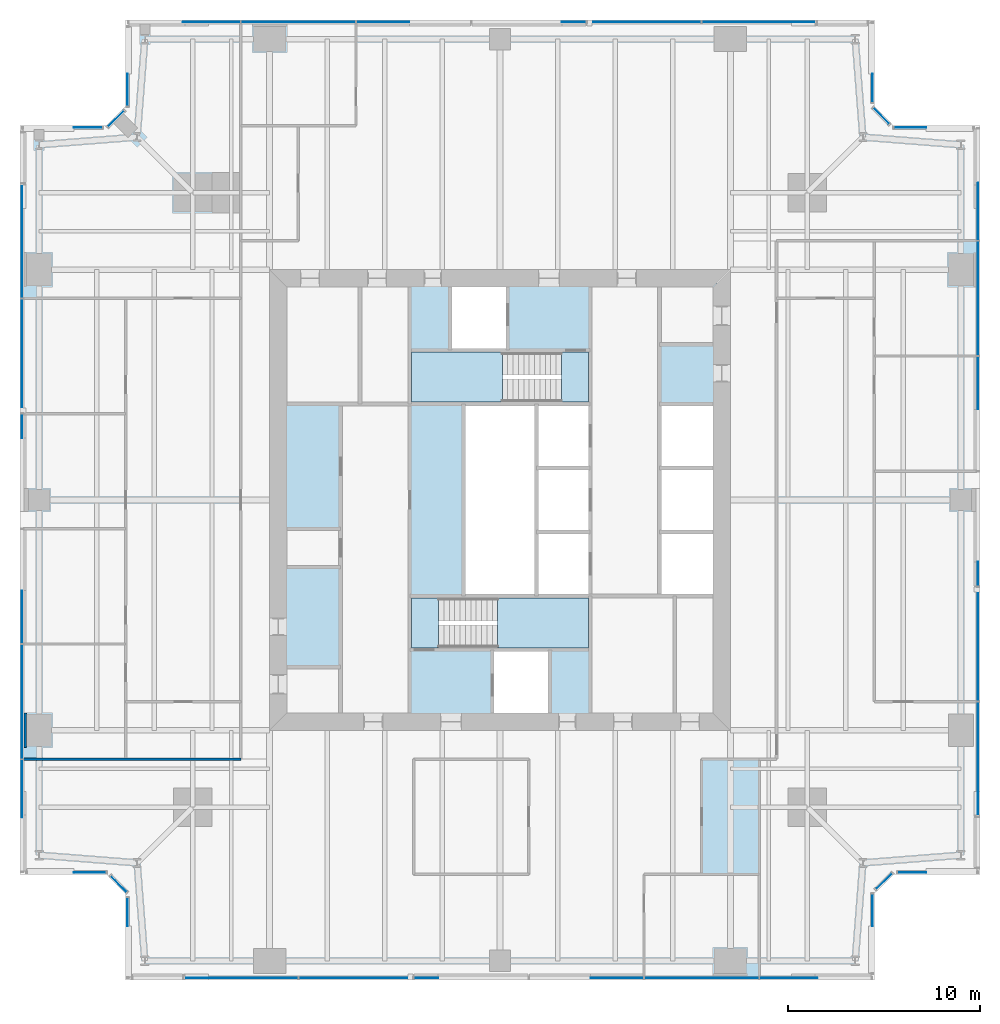
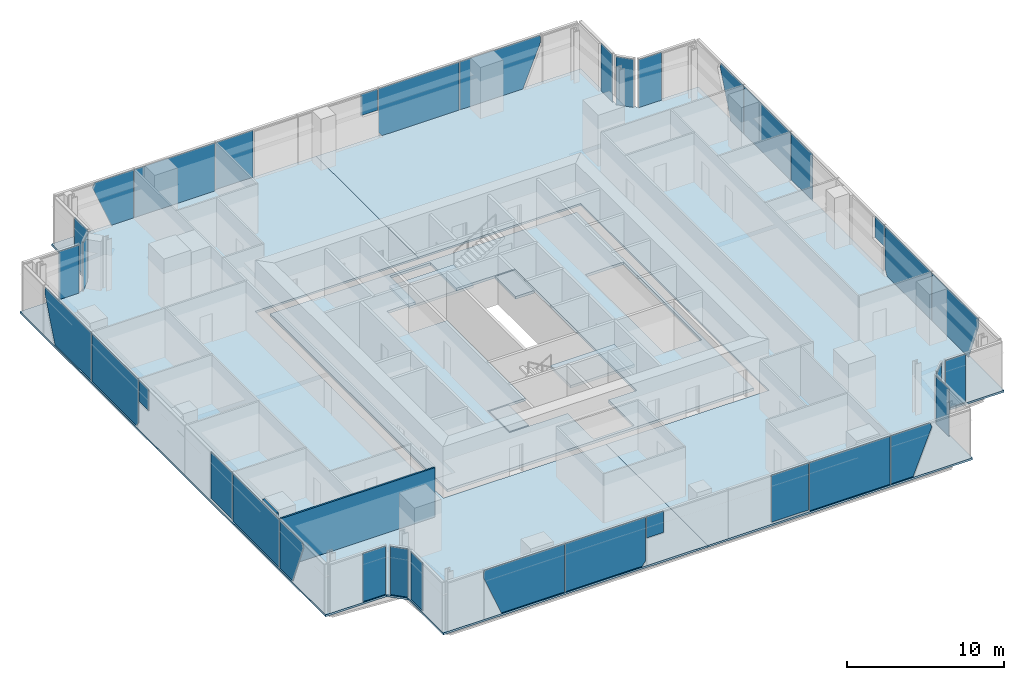
# One storey, part 8 of 16: 36 plates, 7 slabs, 2 walls, 18 elements without a shape of their own.
"""IFC4 building model written with IfcOpenShell, lengths in metres."""

from ifc_helpers import new_model, si_unit, direction, frame, frame_2d, origin, origin_2d, place, context, subcontext, project, spatial, polyline, rectangle, outline, extrude, material, layer, layer_set, type_object, element, aggregate, save


model = new_model("IFC4")

# Units and contexts
model_context = context("Model", 3, precision=1e-05, world=origin(), true_north=direction((0.0, 1.0)))
body_context = subcontext(model_context, "Body", "Model", "MODEL_VIEW")
ifc_project = project(units=[si_unit("LENGTHUNIT", "METRE"), si_unit("AREAUNIT", "SQUARE_METRE"), si_unit("VOLUMEUNIT", "CUBIC_METRE"), si_unit("PLANEANGLEUNIT", "RADIAN"), si_unit("MASSUNIT", "GRAM", prefix="KILO")], contexts=[model_context])

# Site, building, storey
site_placement = place(None, origin())
site = spatial("IfcSite", under=ifc_project, at=site_placement, CompositionType="ELEMENT")
building_placement = place(site_placement, origin())
building = spatial("IfcBuilding", under=site, at=building_placement, Name="Fenwick Lantern Interchange", CompositionType="ELEMENT")
storey_placement = place(building_placement, frame((0.0, 0.0, 213.800048828125)))
storey = spatial("IfcBuildingStorey", under=building, at=storey_placement, Name="L50", CompositionType="ELEMENT", Elevation=213.800048828125)

# Slabs
ifc_material_1 = material(Name="Concrete f'c 35 MPa", Category="concrete")
ifc_layer_1 = layer(ifc_material_1, 0.199951171875)
ifc_layer_set_1 = layer_set([ifc_layer_1], Name="CORE FLOOR SLAB 200")
slab_type_1 = type_object("IfcSlabType", Name="CORE FLOOR SLAB 200", PredefinedType="FLOOR", material=ifc_layer_set_1)
slab_1_placement = place(storey_placement, frame((0.0, 0.0, -0.199951171875)))
element("IfcSlab", 1, at=slab_1_placement, inside=storey, type_object=slab_type_1, Name="L50/SLAB/CORE", PredefinedType="FLOOR", context=body_context, shape_type="SweptSolid", body=[
    extrude(outline(polyline([(13.699951171875, 36.300048828125), (36.300048828125, 36.300048828125), (36.300048828125, 13.699951171875), (13.699951171875, 13.699951171875), (13.699951171875, 36.300048828125)]), holes=[polyline([(24.60009765625, 13.89990234375), (27.60009765625, 13.89990234375), (27.60009765625, 17.199951171875), (29.699951171875, 17.199951171875), (29.699951171875, 20.0), (29.699951171875, 23.333251953125), (29.699951171875, 26.666748046875), (29.699951171875, 30.0), (29.699951171875, 32.800048828125), (25.39990234375, 32.800048828125), (25.39990234375, 36.10009765625), (22.39990234375, 36.10009765625), (22.39990234375, 32.800048828125), (20.300048828125, 32.800048828125), (20.300048828125, 30.0), (23.10009765625, 30.0), (23.10009765625, 20.0), (20.300048828125, 20.0), (20.300048828125, 17.199951171875), (24.60009765625, 17.199951171875), (24.60009765625, 13.89990234375)]), polyline([(33.300048828125, 23.333251953125), (33.300048828125, 20.0), (36.10009765625, 20.0), (36.10009765625, 23.333251953125), (36.10009765625, 26.666748046875), (36.10009765625, 30.0), (33.300048828125, 30.0), (33.300048828125, 26.666748046875), (33.300048828125, 23.333251953125)])]), origin(), (0.0, 0.0, 1.0), 0.199951171875),
])
ifc_material_2 = material(Name="Concrete f'c 35 MPa", Category="concrete")
ifc_layer_2 = layer(ifc_material_2, 0.14990234375)
ifc_layer_set_2 = layer_set([ifc_layer_2], Name="Concrete f'c 35 MPa")
slab_type_2 = type_object("IfcSlabType", Name="FLOOR SLAB 150", PredefinedType="FLOOR", material=ifc_layer_set_2)
slab_2_placement = place(storey_placement, frame((0.0, 0.0, -0.150146484375)))
element("IfcSlab", 2, at=slab_2_placement, inside=storey, type_object=slab_type_2, Name="L50/SLAB/FW", PredefinedType="FLOOR", context=body_context, shape_type="SweptSolid", body=[
    extrude(outline(polyline([(5.5, 0.0), (5.5, 4.5), (4.5, 5.5), (0.0, 5.5), (0.0, 44.5), (4.5, 44.5), (5.5, 45.5), (5.5, 50.0), (25.0, 50.0), (25.0, 37.0), (13.0, 37.0), (13.0, 13.0), (25.0, 13.0), (25.0, 0.0), (5.5, 0.0)])), origin(), (0.0, 0.0, 1.0), 0.150146484375),
])
slab_3_placement = place(storey_placement, frame((0.0, 0.0, -0.150146484375)))
element("IfcSlab", 3, at=slab_3_placement, inside=storey, type_object=slab_type_2, Name="L50/SLAB/FE", PredefinedType="FLOOR", context=body_context, shape_type="SweptSolid", body=[
    extrude(outline(polyline([(44.5, 50.0), (44.5, 45.5), (45.5, 44.5), (50.0, 44.5), (50.0, 5.5), (45.5, 5.5), (44.5, 4.5), (44.5, 0.0), (25.0, 0.0), (25.0, 13.0), (37.0, 13.0), (37.0, 37.0), (25.0, 37.0), (25.0, 50.0), (44.5, 50.0)])), origin(), (0.0, 0.0, 1.0), 0.150146484375),
])

# Curtain wall, plates
ifc_material_3 = material(Name="Aluminium curtain wall frame", Category="aluminium")
curtain_wall_type = type_object("IfcCurtainWallType", Name="OFFICE CURTAIN WALL", PredefinedType="USERDEFINED", material=ifc_material_3)
curtain_wall_1_placement = place(storey_placement, origin())
curtain_wall_1 = element("IfcCurtainWall", 4, at=curtain_wall_1_placement, inside=storey, type_object=curtain_wall_type, Name="Office curtain wall 01", ObjectType="OFFICE CURTAIN WALL", PredefinedType="USERDEFINED")
ifc_material_4 = material(Name="Vision glass, clear low-iron double glazed", Category="glass")
ifc_layer_3 = layer(ifc_material_4, 0.031982421875)
ifc_layer_set_3 = layer_set([ifc_layer_3], Name="OFFICE CURTAIN WALL PANEL 32")
plate_type = type_object("IfcPlateType", Name="OFFICE CURTAIN WALL PANEL 32", PredefinedType="CURTAIN_PANEL", material=ifc_layer_set_3)
plate_1_placement = place(storey_placement, frame((5.60009765625, 0.10009765625, 0.0), z_axis=(0.0, 0.0, 1.0), x_axis=(1.0, 0.0, 0.0)))
plate_1 = element("IfcPlate", 5, at=plate_1_placement, type_object=plate_type, Name="L50/CW/01/P01a", PredefinedType="CURTAIN_PANEL", context=body_context, shape_type="SweptSolid", body=[
    extrude(outline(polyline([(4.2216796875, 0.0), (8.867431640625, 0.0), (8.867431640625, 3.75), (2.990478515625, 3.75), (2.9326171875, 3.608154296875), (2.9326171875, 3.17333984375), (4.2216796875, 0.0)])), frame((0.0, 0.01611328125, 0.0), z_axis=(0.0, -1.0, 0.0), x_axis=(1.0, 0.0, 0.0)), (0.0, 0.0, 1.0), 0.031982421875),
])
plate_2_placement = place(storey_placement, frame((5.60009765625, 0.10009765625, 0.0), z_axis=(0.0, 0.0, 1.0), x_axis=(1.0, 0.0, 0.0)))
plate_2 = element("IfcPlate", 6, at=plate_2_placement, type_object=plate_type, Name="L50/CW/01/P02a", PredefinedType="CURTAIN_PANEL", context=body_context, shape_type="SweptSolid", body=[
    extrude(outline(polyline([(8.9326171875, 0.0), (14.6044921875, 0.0), (14.867431640625, 0.3505859375), (14.867431640625, 3.75), (8.9326171875, 3.75), (8.9326171875, 0.0)])), frame((0.0, 0.01611328125, 0.0), z_axis=(0.0, -1.0, 0.0), x_axis=(1.0, 0.0, 0.0)), (0.0, 0.0, 1.0), 0.031982421875),
])
plate_3_placement = place(storey_placement, frame((5.60009765625, 0.10009765625, 2.090576171875), z_axis=(0.0, 0.0, 1.0), x_axis=(1.0, 0.0, 0.0)))
plate_3 = element("IfcPlate", 7, at=plate_3_placement, type_object=plate_type, Name="L50/CW/01/P03a", PredefinedType="CURTAIN_PANEL", context=body_context, shape_type="SweptSolid", body=[
    extrude(outline(polyline([(14.9326171875, 0.0), (16.172607421875, 0.0), (16.172607421875, 1.659423828125), (14.9326171875, 1.659423828125), (14.9326171875, 0.0)])), frame((0.0, 0.01611328125, 0.0), z_axis=(0.0, -1.0, 0.0), x_axis=(1.0, 0.0, 0.0)), (0.0, 0.0, 1.0), 0.031982421875),
])
plate_4_placement = place(storey_placement, frame((5.60009765625, 0.10009765625, 0.0927734375), z_axis=(0.0, 0.0, 1.0), x_axis=(1.0, 0.0, 0.0)))
plate_4 = element("IfcPlate", 8, at=plate_4_placement, type_object=plate_type, Name="L50/CW/01/P04a", PredefinedType="CURTAIN_PANEL", context=body_context, shape_type="SweptSolid", body=[
    extrude(outline(polyline([(24.1259765625, 0.0), (26.867431640625, 0.0), (26.867431640625, 3.6572265625), (24.1259765625, 3.6572265625), (24.1259765625, 0.0)])), frame((0.0, 0.01611328125, 0.0), z_axis=(0.0, -1.0, 0.0), x_axis=(1.0, 0.0, 0.0)), (0.0, 0.0, 1.0), 0.031982421875),
])
plate_5_placement = place(storey_placement, frame((35.5, 0.10009765625, 0.0), z_axis=(0.0, 0.0, 1.0), x_axis=(1.0, 0.0, 0.0)))
plate_5 = element("IfcPlate", 9, at=plate_5_placement, type_object=plate_type, Name="L50/CW/01/P05", PredefinedType="CURTAIN_PANEL", context=body_context, shape_type="SweptSolid", body=[
    extrude(rectangle(XDim=5.93505859375, YDim=0.031982421875, at=origin_2d()), origin(), (0.0, 0.0, 1.0), 3.75),
])
plate_6_placement = place(storey_placement, frame((5.60009765625, 0.10009765625, 0.0), z_axis=(0.0, 0.0, 1.0), x_axis=(1.0, 0.0, 0.0)))
plate_6 = element("IfcPlate", 10, at=plate_6_placement, type_object=plate_type, Name="L50/CW/01/P06a", PredefinedType="CURTAIN_PANEL", context=body_context, shape_type="SweptSolid", body=[
    extrude(outline(polyline([(32.9326171875, 0.0), (34.578369140625, 0.0), (35.9560546875, 3.3916015625), (35.8095703125, 3.75), (32.9326171875, 3.75), (32.9326171875, 0.0)])), frame((0.0, 0.01611328125, 0.0), z_axis=(0.0, -1.0, 0.0), x_axis=(1.0, 0.0, 0.0)), (0.0, 0.0, 1.0), 0.031982421875),
])
aggregate(curtain_wall_1, [plate_1, plate_2, plate_3, plate_4, plate_5, plate_6])

# Curtain wall, plate
curtain_wall_2_placement = place(storey_placement, origin())
curtain_wall_2 = element("IfcCurtainWall", 11, at=curtain_wall_2_placement, inside=storey, type_object=curtain_wall_type, Name="Office curtain wall 02", ObjectType="OFFICE CURTAIN WALL", PredefinedType="USERDEFINED")
plate_7_placement = place(storey_placement, frame((44.39990234375, 0.10009765625, 0.0), z_axis=(0.0, 0.0, 1.0), x_axis=(0.0, 1.0, 0.0)))
plate_7 = element("IfcPlate", 12, at=plate_7_placement, type_object=plate_type, Name="L50/CW/02/P00a", PredefinedType="CURTAIN_PANEL", context=body_context, shape_type="SweptSolid", body=[
    extrude(outline(polyline([(2.699951171875, 0.0), (4.37646484375, 0.0), (4.37646484375, 3.75), (2.699951171875, 3.75), (2.699951171875, 0.0)])), frame((0.0, 0.01611328125, 0.0), z_axis=(0.0, -1.0, 0.0), x_axis=(1.0, 0.0, 0.0)), (0.0, 0.0, 1.0), 0.031982421875),
])
aggregate(curtain_wall_2, [plate_7])

curtain_wall_3_placement = place(storey_placement, origin())
curtain_wall_3 = element("IfcCurtainWall", 13, at=curtain_wall_3_placement, inside=storey, type_object=curtain_wall_type, Name="Office curtain wall 03", ObjectType="OFFICE CURTAIN WALL", PredefinedType="USERDEFINED")
plate_8_placement = place(storey_placement, frame((45.0, 5.141357421875, 0.0), z_axis=(0.0, 0.0, 1.0), x_axis=(0.707106781187, 0.707106781187, 0.0)))
plate_8 = element("IfcPlate", 14, at=plate_8_placement, type_object=plate_type, Name="L50/CW/03/P00", PredefinedType="CURTAIN_PANEL", context=body_context, shape_type="SweptSolid", body=[
    extrude(rectangle(XDim=1.1669921875, YDim=0.031982421875, at=origin_2d()), origin(), (0.0, 0.0, 1.0), 3.75),
])
aggregate(curtain_wall_3, [plate_8])

curtain_wall_4_placement = place(storey_placement, origin())
curtain_wall_4 = element("IfcCurtainWall", 15, at=curtain_wall_4_placement, inside=storey, type_object=curtain_wall_type, Name="Office curtain wall 04", ObjectType="OFFICE CURTAIN WALL", PredefinedType="USERDEFINED")
plate_9_placement = place(storey_placement, frame((45.45849609375, 5.60009765625, 0.0), z_axis=(0.0, 0.0, 1.0), x_axis=(1.0, 0.0, 0.0)))
plate_9 = element("IfcPlate", 16, at=plate_9_placement, type_object=plate_type, Name="L50/CW/04/P00a", PredefinedType="CURTAIN_PANEL", context=body_context, shape_type="SweptSolid", body=[
    extrude(outline(polyline([(0.264892578125, 0.0), (1.741455078125, 0.0), (1.741455078125, 3.75), (0.264892578125, 3.75), (0.264892578125, 0.0)])), frame((0.0, 0.01611328125, 0.0), z_axis=(0.0, -1.0, 0.0), x_axis=(1.0, 0.0, 0.0)), (0.0, 0.0, 1.0), 0.031982421875),
])
aggregate(curtain_wall_4, [plate_9])

# Curtain wall, plates
curtain_wall_5_placement = place(storey_placement, origin())
curtain_wall_5 = element("IfcCurtainWall", 17, at=curtain_wall_5_placement, inside=storey, type_object=curtain_wall_type, Name="Office curtain wall 05", ObjectType="OFFICE CURTAIN WALL", PredefinedType="USERDEFINED")
plate_10_placement = place(storey_placement, frame((49.89990234375, 5.60009765625, 0.0), z_axis=(0.0, 0.0, 1.0), x_axis=(0.0, 1.0, 0.0)))
plate_10 = element("IfcPlate", 18, at=plate_10_placement, type_object=plate_type, Name="L50/CW/05/P01a", PredefinedType="CURTAIN_PANEL", context=body_context, shape_type="SweptSolid", body=[
    extrude(outline(polyline([(4.2216796875, 0.0), (8.867431640625, 0.0), (8.867431640625, 3.75), (2.990478515625, 3.75), (2.9326171875, 3.608154296875), (2.9326171875, 3.17333984375), (4.2216796875, 0.0)])), frame((0.0, 0.01611328125, 0.0), z_axis=(0.0, -1.0, 0.0), x_axis=(1.0, 0.0, 0.0)), (0.0, 0.0, 1.0), 0.031982421875),
])
plate_11_placement = place(storey_placement, frame((49.89990234375, 5.60009765625, 0.0), z_axis=(0.0, 0.0, 1.0), x_axis=(0.0, 1.0, 0.0)))
plate_11 = element("IfcPlate", 19, at=plate_11_placement, type_object=plate_type, Name="L50/CW/05/P02a", PredefinedType="CURTAIN_PANEL", context=body_context, shape_type="SweptSolid", body=[
    extrude(outline(polyline([(8.9326171875, 0.0), (14.6044921875, 0.0), (14.867431640625, 0.3505859375), (14.867431640625, 3.75), (8.9326171875, 3.75), (8.9326171875, 0.0)])), frame((0.0, 0.01611328125, 0.0), z_axis=(0.0, -1.0, 0.0), x_axis=(1.0, 0.0, 0.0)), (0.0, 0.0, 1.0), 0.031982421875),
])
plate_12_placement = place(storey_placement, frame((49.89990234375, 5.60009765625, 2.090576171875), z_axis=(0.0, 0.0, 1.0), x_axis=(0.0, 1.0, 0.0)))
plate_12 = element("IfcPlate", 20, at=plate_12_placement, type_object=plate_type, Name="L50/CW/05/P03a", PredefinedType="CURTAIN_PANEL", context=body_context, shape_type="SweptSolid", body=[
    extrude(outline(polyline([(14.9326171875, 0.0), (16.172607421875, 0.0), (16.172607421875, 1.659423828125), (14.9326171875, 1.659423828125), (14.9326171875, 0.0)])), frame((0.0, 0.01611328125, 0.0), z_axis=(0.0, -1.0, 0.0), x_axis=(1.0, 0.0, 0.0)), (0.0, 0.0, 1.0), 0.031982421875),
])
plate_13_placement = place(storey_placement, frame((49.89990234375, 5.60009765625, 0.0927734375), z_axis=(0.0, 0.0, 1.0), x_axis=(0.0, 1.0, 0.0)))
plate_13 = element("IfcPlate", 21, at=plate_13_placement, type_object=plate_type, Name="L50/CW/05/P04a", PredefinedType="CURTAIN_PANEL", context=body_context, shape_type="SweptSolid", body=[
    extrude(outline(polyline([(24.1259765625, 0.0), (26.867431640625, 0.0), (26.867431640625, 3.6572265625), (24.1259765625, 3.6572265625), (24.1259765625, 0.0)])), frame((0.0, 0.01611328125, 0.0), z_axis=(0.0, -1.0, 0.0), x_axis=(1.0, 0.0, 0.0)), (0.0, 0.0, 1.0), 0.031982421875),
])
plate_14_placement = place(storey_placement, frame((49.89990234375, 35.5, 0.0), z_axis=(0.0, 0.0, 1.0), x_axis=(0.0, 1.0, 0.0)))
plate_14 = element("IfcPlate", 22, at=plate_14_placement, type_object=plate_type, Name="L50/CW/05/P05", PredefinedType="CURTAIN_PANEL", context=body_context, shape_type="SweptSolid", body=[
    extrude(rectangle(XDim=5.93505859375, YDim=0.031982421875, at=origin_2d()), origin(), (0.0, 0.0, 1.0), 3.75),
])
plate_15_placement = place(storey_placement, frame((49.89990234375, 5.60009765625, 0.0), z_axis=(0.0, 0.0, 1.0), x_axis=(0.0, 1.0, 0.0)))
plate_15 = element("IfcPlate", 23, at=plate_15_placement, type_object=plate_type, Name="L50/CW/05/P06a", PredefinedType="CURTAIN_PANEL", context=body_context, shape_type="SweptSolid", body=[
    extrude(outline(polyline([(32.9326171875, 0.0), (34.578369140625, 0.0), (35.9560546875, 3.3916015625), (35.8095703125, 3.75), (32.9326171875, 3.75), (32.9326171875, 0.0)])), frame((0.0, 0.01611328125, 0.0), z_axis=(0.0, -1.0, 0.0), x_axis=(1.0, 0.0, 0.0)), (0.0, 0.0, 1.0), 0.031982421875),
])
aggregate(curtain_wall_5, [plate_10, plate_11, plate_12, plate_13, plate_14, plate_15])

# Curtain wall, plate
curtain_wall_6_placement = place(storey_placement, origin())
curtain_wall_6 = element("IfcCurtainWall", 24, at=curtain_wall_6_placement, inside=storey, type_object=curtain_wall_type, Name="Office curtain wall 06", ObjectType="OFFICE CURTAIN WALL", PredefinedType="USERDEFINED")
plate_16_placement = place(storey_placement, frame((49.89990234375, 44.39990234375, 0.0), z_axis=(0.0, 0.0, 1.0), x_axis=(-1.0, 0.0, 0.0)))
plate_16 = element("IfcPlate", 25, at=plate_16_placement, type_object=plate_type, Name="L50/CW/06/P00a", PredefinedType="CURTAIN_PANEL", context=body_context, shape_type="SweptSolid", body=[
    extrude(outline(polyline([(2.699951171875, 0.0), (4.37646484375, 0.0), (4.37646484375, 3.75), (2.699951171875, 3.75), (2.699951171875, 0.0)])), frame((0.0, 0.01611328125, 0.0), z_axis=(0.0, -1.0, 0.0), x_axis=(1.0, 0.0, 0.0)), (0.0, 0.0, 1.0), 0.031982421875),
])
aggregate(curtain_wall_6, [plate_16])

curtain_wall_7_placement = place(storey_placement, origin())
curtain_wall_7 = element("IfcCurtainWall", 26, at=curtain_wall_7_placement, inside=storey, type_object=curtain_wall_type, Name="Office curtain wall 07", ObjectType="OFFICE CURTAIN WALL", PredefinedType="USERDEFINED")
plate_17_placement = place(storey_placement, frame((44.858642578125, 45.0, 0.0), z_axis=(0.0, 0.0, 1.0), x_axis=(-0.707106781187, 0.707106781187, 0.0)))
plate_17 = element("IfcPlate", 27, at=plate_17_placement, type_object=plate_type, Name="L50/CW/07/P00", PredefinedType="CURTAIN_PANEL", context=body_context, shape_type="SweptSolid", body=[
    extrude(rectangle(XDim=1.1669921875, YDim=0.031982421875, at=origin_2d()), origin(), (0.0, 0.0, 1.0), 3.75),
])
aggregate(curtain_wall_7, [plate_17])

curtain_wall_8_placement = place(storey_placement, origin())
curtain_wall_8 = element("IfcCurtainWall", 28, at=curtain_wall_8_placement, inside=storey, type_object=curtain_wall_type, Name="Office curtain wall 08", ObjectType="OFFICE CURTAIN WALL", PredefinedType="USERDEFINED")
plate_18_placement = place(storey_placement, frame((44.39990234375, 45.45849609375, 0.0), z_axis=(0.0, 0.0, 1.0), x_axis=(0.0, 1.0, 0.0)))
plate_18 = element("IfcPlate", 29, at=plate_18_placement, type_object=plate_type, Name="L50/CW/08/P00a", PredefinedType="CURTAIN_PANEL", context=body_context, shape_type="SweptSolid", body=[
    extrude(outline(polyline([(0.264892578125, 0.0), (1.741455078125, 0.0), (1.741455078125, 3.75), (0.264892578125, 3.75), (0.264892578125, 0.0)])), frame((0.0, 0.01611328125, 0.0), z_axis=(0.0, -1.0, 0.0), x_axis=(1.0, 0.0, 0.0)), (0.0, 0.0, 1.0), 0.031982421875),
])
aggregate(curtain_wall_8, [plate_18])

# Curtain wall, plates
curtain_wall_9_placement = place(storey_placement, origin())
curtain_wall_9 = element("IfcCurtainWall", 30, at=curtain_wall_9_placement, inside=storey, type_object=curtain_wall_type, Name="Office curtain wall 09", ObjectType="OFFICE CURTAIN WALL", PredefinedType="USERDEFINED")
plate_19_placement = place(storey_placement, frame((44.39990234375, 49.89990234375, 0.0), z_axis=(0.0, 0.0, 1.0), x_axis=(-1.0, 0.0, 0.0)))
plate_19 = element("IfcPlate", 31, at=plate_19_placement, type_object=plate_type, Name="L50/CW/09/P01a", PredefinedType="CURTAIN_PANEL", context=body_context, shape_type="SweptSolid", body=[
    extrude(outline(polyline([(4.2216796875, 0.0), (8.867431640625, 0.0), (8.867431640625, 3.75), (2.990478515625, 3.75), (2.9326171875, 3.608154296875), (2.9326171875, 3.17333984375), (4.2216796875, 0.0)])), frame((0.0, 0.01611328125, 0.0), z_axis=(0.0, -1.0, 0.0), x_axis=(1.0, 0.0, 0.0)), (0.0, 0.0, 1.0), 0.031982421875),
])
plate_20_placement = place(storey_placement, frame((44.39990234375, 49.89990234375, 0.0), z_axis=(0.0, 0.0, 1.0), x_axis=(-1.0, 0.0, 0.0)))
plate_20 = element("IfcPlate", 32, at=plate_20_placement, type_object=plate_type, Name="L50/CW/09/P02a", PredefinedType="CURTAIN_PANEL", context=body_context, shape_type="SweptSolid", body=[
    extrude(outline(polyline([(8.9326171875, 0.0), (14.6044921875, 0.0), (14.867431640625, 0.3505859375), (14.867431640625, 3.75), (8.9326171875, 3.75), (8.9326171875, 0.0)])), frame((0.0, 0.01611328125, 0.0), z_axis=(0.0, -1.0, 0.0), x_axis=(1.0, 0.0, 0.0)), (0.0, 0.0, 1.0), 0.031982421875),
])
plate_21_placement = place(storey_placement, frame((44.39990234375, 49.89990234375, 2.090576171875), z_axis=(0.0, 0.0, 1.0), x_axis=(-1.0, 0.0, 0.0)))
plate_21 = element("IfcPlate", 33, at=plate_21_placement, type_object=plate_type, Name="L50/CW/09/P03a", PredefinedType="CURTAIN_PANEL", context=body_context, shape_type="SweptSolid", body=[
    extrude(outline(polyline([(14.9326171875, 0.0), (16.172607421875, 0.0), (16.172607421875, 1.659423828125), (14.9326171875, 1.659423828125), (14.9326171875, 0.0)])), frame((0.0, 0.01611328125, 0.0), z_axis=(0.0, -1.0, 0.0), x_axis=(1.0, 0.0, 0.0)), (0.0, 0.0, 1.0), 0.031982421875),
])
plate_22_placement = place(storey_placement, frame((44.39990234375, 49.89990234375, 0.0927734375), z_axis=(0.0, 0.0, 1.0), x_axis=(-1.0, 0.0, 0.0)))
plate_22 = element("IfcPlate", 34, at=plate_22_placement, type_object=plate_type, Name="L50/CW/09/P04a", PredefinedType="CURTAIN_PANEL", context=body_context, shape_type="SweptSolid", body=[
    extrude(outline(polyline([(24.1259765625, 0.0), (26.867431640625, 0.0), (26.867431640625, 3.6572265625), (24.1259765625, 3.6572265625), (24.1259765625, 0.0)])), frame((0.0, 0.01611328125, 0.0), z_axis=(0.0, -1.0, 0.0), x_axis=(1.0, 0.0, 0.0)), (0.0, 0.0, 1.0), 0.031982421875),
])
plate_23_placement = place(storey_placement, frame((14.5, 49.89990234375, 0.0), z_axis=(0.0, 0.0, 1.0), x_axis=(-1.0, 0.0, 0.0)))
plate_23 = element("IfcPlate", 35, at=plate_23_placement, type_object=plate_type, Name="L50/CW/09/P05", PredefinedType="CURTAIN_PANEL", context=body_context, shape_type="SweptSolid", body=[
    extrude(rectangle(XDim=5.93505859375, YDim=0.031982421875, at=origin_2d()), origin(), (0.0, 0.0, 1.0), 3.75),
])
plate_24_placement = place(storey_placement, frame((44.39990234375, 49.89990234375, 0.0), z_axis=(0.0, 0.0, 1.0), x_axis=(-1.0, 0.0, 0.0)))
plate_24 = element("IfcPlate", 36, at=plate_24_placement, type_object=plate_type, Name="L50/CW/09/P06a", PredefinedType="CURTAIN_PANEL", context=body_context, shape_type="SweptSolid", body=[
    extrude(outline(polyline([(32.9326171875, 0.0), (34.578369140625, 0.0), (35.9560546875, 3.3916015625), (35.8095703125, 3.75), (32.9326171875, 3.75), (32.9326171875, 0.0)])), frame((0.0, 0.01611328125, 0.0), z_axis=(0.0, -1.0, 0.0), x_axis=(1.0, 0.0, 0.0)), (0.0, 0.0, 1.0), 0.031982421875),
])
aggregate(curtain_wall_9, [plate_19, plate_20, plate_21, plate_22, plate_23, plate_24])

# Curtain wall, plate
curtain_wall_10_placement = place(storey_placement, origin())
curtain_wall_10 = element("IfcCurtainWall", 37, at=curtain_wall_10_placement, inside=storey, type_object=curtain_wall_type, Name="Office curtain wall 10", ObjectType="OFFICE CURTAIN WALL", PredefinedType="USERDEFINED")
plate_25_placement = place(storey_placement, frame((5.60009765625, 49.89990234375, 0.0), z_axis=(0.0, 0.0, 1.0), x_axis=(0.0, -1.0, 0.0)))
plate_25 = element("IfcPlate", 38, at=plate_25_placement, type_object=plate_type, Name="L50/CW/10/P00a", PredefinedType="CURTAIN_PANEL", context=body_context, shape_type="SweptSolid", body=[
    extrude(outline(polyline([(2.699951171875, 0.0), (4.37646484375, 0.0), (4.37646484375, 3.75), (2.699951171875, 3.75), (2.699951171875, 0.0)])), frame((0.0, 0.01611328125, 0.0), z_axis=(0.0, -1.0, 0.0), x_axis=(1.0, 0.0, 0.0)), (0.0, 0.0, 1.0), 0.031982421875),
])
aggregate(curtain_wall_10, [plate_25])

curtain_wall_11_placement = place(storey_placement, origin())
curtain_wall_11 = element("IfcCurtainWall", 39, at=curtain_wall_11_placement, inside=storey, type_object=curtain_wall_type, Name="Office curtain wall 11", ObjectType="OFFICE CURTAIN WALL", PredefinedType="USERDEFINED")
plate_26_placement = place(storey_placement, frame((5.0, 44.858642578125, 0.0), z_axis=(0.0, 0.0, 1.0), x_axis=(-0.707106781187, -0.707106781187, 0.0)))
plate_26 = element("IfcPlate", 40, at=plate_26_placement, type_object=plate_type, Name="L50/CW/11/P00", PredefinedType="CURTAIN_PANEL", context=body_context, shape_type="SweptSolid", body=[
    extrude(rectangle(XDim=1.1669921875, YDim=0.031982421875, at=origin_2d()), origin(), (0.0, 0.0, 1.0), 3.75),
])
aggregate(curtain_wall_11, [plate_26])

curtain_wall_12_placement = place(storey_placement, origin())
curtain_wall_12 = element("IfcCurtainWall", 41, at=curtain_wall_12_placement, inside=storey, type_object=curtain_wall_type, Name="Office curtain wall 12", ObjectType="OFFICE CURTAIN WALL", PredefinedType="USERDEFINED")
plate_27_placement = place(storey_placement, frame((4.54150390625, 44.39990234375, 0.0), z_axis=(0.0, 0.0, 1.0), x_axis=(-1.0, 0.0, 0.0)))
plate_27 = element("IfcPlate", 42, at=plate_27_placement, type_object=plate_type, Name="L50/CW/12/P00a", PredefinedType="CURTAIN_PANEL", context=body_context, shape_type="SweptSolid", body=[
    extrude(outline(polyline([(0.264892578125, 0.0), (1.741455078125, 0.0), (1.741455078125, 3.75), (0.264892578125, 3.75), (0.264892578125, 0.0)])), frame((0.0, 0.01611328125, 0.0), z_axis=(0.0, -1.0, 0.0), x_axis=(1.0, 0.0, 0.0)), (0.0, 0.0, 1.0), 0.031982421875),
])
aggregate(curtain_wall_12, [plate_27])

# Curtain wall, plates
curtain_wall_13_placement = place(storey_placement, origin())
curtain_wall_13 = element("IfcCurtainWall", 43, at=curtain_wall_13_placement, inside=storey, type_object=curtain_wall_type, Name="Office curtain wall 13", ObjectType="OFFICE CURTAIN WALL", PredefinedType="USERDEFINED")
plate_28_placement = place(storey_placement, frame((0.10009765625, 44.39990234375, 0.0), z_axis=(0.0, 0.0, 1.0), x_axis=(0.0, -1.0, 0.0)))
plate_28 = element("IfcPlate", 44, at=plate_28_placement, type_object=plate_type, Name="L50/CW/13/P01a", PredefinedType="CURTAIN_PANEL", context=body_context, shape_type="SweptSolid", body=[
    extrude(outline(polyline([(4.2216796875, 0.0), (8.867431640625, 0.0), (8.867431640625, 3.75), (2.990478515625, 3.75), (2.9326171875, 3.608154296875), (2.9326171875, 3.17333984375), (4.2216796875, 0.0)])), frame((0.0, 0.01611328125, 0.0), z_axis=(0.0, -1.0, 0.0), x_axis=(1.0, 0.0, 0.0)), (0.0, 0.0, 1.0), 0.031982421875),
])
plate_29_placement = place(storey_placement, frame((0.10009765625, 44.39990234375, 0.0), z_axis=(0.0, 0.0, 1.0), x_axis=(0.0, -1.0, 0.0)))
plate_29 = element("IfcPlate", 45, at=plate_29_placement, type_object=plate_type, Name="L50/CW/13/P02a", PredefinedType="CURTAIN_PANEL", context=body_context, shape_type="SweptSolid", body=[
    extrude(outline(polyline([(8.9326171875, 0.0), (14.6044921875, 0.0), (14.867431640625, 0.3505859375), (14.867431640625, 3.75), (8.9326171875, 3.75), (8.9326171875, 0.0)])), frame((0.0, 0.01611328125, 0.0), z_axis=(0.0, -1.0, 0.0), x_axis=(1.0, 0.0, 0.0)), (0.0, 0.0, 1.0), 0.031982421875),
])
plate_30_placement = place(storey_placement, frame((0.10009765625, 44.39990234375, 2.090576171875), z_axis=(0.0, 0.0, 1.0), x_axis=(0.0, -1.0, 0.0)))
plate_30 = element("IfcPlate", 46, at=plate_30_placement, type_object=plate_type, Name="L50/CW/13/P03a", PredefinedType="CURTAIN_PANEL", context=body_context, shape_type="SweptSolid", body=[
    extrude(outline(polyline([(14.9326171875, 0.0), (16.172607421875, 0.0), (16.172607421875, 1.659423828125), (14.9326171875, 1.659423828125), (14.9326171875, 0.0)])), frame((0.0, 0.01611328125, 0.0), z_axis=(0.0, -1.0, 0.0), x_axis=(1.0, 0.0, 0.0)), (0.0, 0.0, 1.0), 0.031982421875),
])
plate_31_placement = place(storey_placement, frame((0.10009765625, 44.39990234375, 0.0927734375), z_axis=(0.0, 0.0, 1.0), x_axis=(0.0, -1.0, 0.0)))
plate_31 = element("IfcPlate", 47, at=plate_31_placement, type_object=plate_type, Name="L50/CW/13/P04a", PredefinedType="CURTAIN_PANEL", context=body_context, shape_type="SweptSolid", body=[
    extrude(outline(polyline([(24.1259765625, 0.0), (26.867431640625, 0.0), (26.867431640625, 3.6572265625), (24.1259765625, 3.6572265625), (24.1259765625, 0.0)])), frame((0.0, 0.01611328125, 0.0), z_axis=(0.0, -1.0, 0.0), x_axis=(1.0, 0.0, 0.0)), (0.0, 0.0, 1.0), 0.031982421875),
])
plate_32_placement = place(storey_placement, frame((0.10009765625, 14.5, 0.0), z_axis=(0.0, 0.0, 1.0), x_axis=(0.0, -1.0, 0.0)))
plate_32 = element("IfcPlate", 48, at=plate_32_placement, type_object=plate_type, Name="L50/CW/13/P05", PredefinedType="CURTAIN_PANEL", context=body_context, shape_type="SweptSolid", body=[
    extrude(rectangle(XDim=5.93505859375, YDim=0.031982421875, at=origin_2d()), origin(), (0.0, 0.0, 1.0), 3.75),
])
plate_33_placement = place(storey_placement, frame((0.10009765625, 44.39990234375, 0.0), z_axis=(0.0, 0.0, 1.0), x_axis=(0.0, -1.0, 0.0)))
plate_33 = element("IfcPlate", 49, at=plate_33_placement, type_object=plate_type, Name="L50/CW/13/P06a", PredefinedType="CURTAIN_PANEL", context=body_context, shape_type="SweptSolid", body=[
    extrude(outline(polyline([(32.9326171875, 0.0), (34.578369140625, 0.0), (35.9560546875, 3.3916015625), (35.8095703125, 3.75), (32.9326171875, 3.75), (32.9326171875, 0.0)])), frame((0.0, 0.01611328125, 0.0), z_axis=(0.0, -1.0, 0.0), x_axis=(1.0, 0.0, 0.0)), (0.0, 0.0, 1.0), 0.031982421875),
])
aggregate(curtain_wall_13, [plate_28, plate_29, plate_30, plate_31, plate_32, plate_33])

# Curtain wall, plate
curtain_wall_14_placement = place(storey_placement, origin())
curtain_wall_14 = element("IfcCurtainWall", 50, at=curtain_wall_14_placement, inside=storey, type_object=curtain_wall_type, Name="Office curtain wall 14", ObjectType="OFFICE CURTAIN WALL", PredefinedType="USERDEFINED")
plate_34_placement = place(storey_placement, frame((0.10009765625, 5.60009765625, 0.0), z_axis=(0.0, 0.0, 1.0), x_axis=(1.0, 0.0, 0.0)))
plate_34 = element("IfcPlate", 51, at=plate_34_placement, type_object=plate_type, Name="L50/CW/14/P00a", PredefinedType="CURTAIN_PANEL", context=body_context, shape_type="SweptSolid", body=[
    extrude(outline(polyline([(2.699951171875, 0.0), (4.37646484375, 0.0), (4.37646484375, 3.75), (2.699951171875, 3.75), (2.699951171875, 0.0)])), frame((0.0, 0.01611328125, 0.0), z_axis=(0.0, -1.0, 0.0), x_axis=(1.0, 0.0, 0.0)), (0.0, 0.0, 1.0), 0.031982421875),
])
aggregate(curtain_wall_14, [plate_34])

curtain_wall_15_placement = place(storey_placement, origin())
curtain_wall_15 = element("IfcCurtainWall", 52, at=curtain_wall_15_placement, inside=storey, type_object=curtain_wall_type, Name="Office curtain wall 15", ObjectType="OFFICE CURTAIN WALL", PredefinedType="USERDEFINED")
plate_35_placement = place(storey_placement, frame((5.141357421875, 5.0, 0.0), z_axis=(0.0, 0.0, 1.0), x_axis=(0.707106781187, -0.707106781187, 0.0)))
plate_35 = element("IfcPlate", 53, at=plate_35_placement, type_object=plate_type, Name="L50/CW/15/P00", PredefinedType="CURTAIN_PANEL", context=body_context, shape_type="SweptSolid", body=[
    extrude(rectangle(XDim=1.1669921875, YDim=0.031982421875, at=origin_2d()), origin(), (0.0, 0.0, 1.0), 3.75),
])
aggregate(curtain_wall_15, [plate_35])

curtain_wall_16_placement = place(storey_placement, origin())
curtain_wall_16 = element("IfcCurtainWall", 54, at=curtain_wall_16_placement, inside=storey, type_object=curtain_wall_type, Name="Office curtain wall 16", ObjectType="OFFICE CURTAIN WALL", PredefinedType="USERDEFINED")
plate_36_placement = place(storey_placement, frame((5.60009765625, 4.54150390625, 0.0), z_axis=(0.0, 0.0, 1.0), x_axis=(0.0, -1.0, 0.0)))
plate_36 = element("IfcPlate", 55, at=plate_36_placement, type_object=plate_type, Name="L50/CW/16/P00a", PredefinedType="CURTAIN_PANEL", context=body_context, shape_type="SweptSolid", body=[
    extrude(outline(polyline([(0.264892578125, 0.0), (1.741455078125, 0.0), (1.741455078125, 3.75), (0.264892578125, 3.75), (0.264892578125, 0.0)])), frame((0.0, 0.01611328125, 0.0), z_axis=(0.0, -1.0, 0.0), x_axis=(1.0, 0.0, 0.0)), (0.0, 0.0, 1.0), 0.031982421875),
])
aggregate(curtain_wall_16, [plate_36])

# Stair, slabs
ifc_material_5 = material(Name="Precast concrete f'c 35 MPa", Category="concrete")
stair_type = type_object("IfcStairType", Name="EXIT STAIR 1200", PredefinedType="HALF_TURN_STAIR", material=ifc_material_5)
stair_1_placement = place(storey_placement, origin())
stair_1 = element("IfcStair", 56, at=stair_1_placement, inside=storey, type_object=stair_type, Name="Exit stair ST1", PredefinedType="HALF_TURN_STAIR")
ifc_layer_4 = layer(ifc_material_1, 0.199951171875)
ifc_layer_set_4 = layer_set([ifc_layer_4], Name="STAIR LANDING 200")
slab_type_3 = type_object("IfcSlabType", Name="STAIR LANDING 200", PredefinedType="LANDING", material=ifc_layer_set_4)
slab_4_placement = place(storey_placement, frame((0.0, 0.0, 1.800048828125)))
slab_4 = element("IfcSlab", 57, at=slab_4_placement, type_object=slab_type_3, Name="ST1 landing 1", PredefinedType="LANDING", context=body_context, shape_type="SweptSolid", body=[
    extrude(outline(polyline([(24.8798828125, 17.300048828125), (29.60009765625, 17.300048828125), (29.60009765625, 19.89990234375), (24.8798828125, 19.89990234375), (24.8798828125, 17.300048828125)])), origin(), (0.0, 0.0, 1.0), 0.199951171875),
])
slab_5_placement = place(storey_placement, frame((0.0, 0.0, -0.199951171875)))
slab_5 = element("IfcSlab", 58, at=slab_5_placement, type_object=slab_type_3, Name="ST1 landing 2", PredefinedType="LANDING", context=body_context, shape_type="SweptSolid", body=[
    extrude(outline(polyline([(20.39990234375, 17.300048828125), (21.800048828125, 17.300048828125), (21.800048828125, 19.89990234375), (20.39990234375, 19.89990234375), (20.39990234375, 17.300048828125)])), origin(), (0.0, 0.0, 1.0), 0.199951171875),
])
aggregate(stair_1, [slab_4, slab_5])

stair_2_placement = place(storey_placement, origin())
stair_2 = element("IfcStair", 59, at=stair_2_placement, inside=storey, type_object=stair_type, Name="Exit stair ST2", PredefinedType="HALF_TURN_STAIR")
slab_6_placement = place(storey_placement, frame((0.0, 0.0, 1.800048828125)))
slab_6 = element("IfcSlab", 60, at=slab_6_placement, type_object=slab_type_3, Name="ST2 landing 1", PredefinedType="LANDING", context=body_context, shape_type="SweptSolid", body=[
    extrude(outline(polyline([(25.1201171875, 32.699951171875), (20.39990234375, 32.699951171875), (20.39990234375, 30.10009765625), (25.1201171875, 30.10009765625), (25.1201171875, 32.699951171875)])), origin(), (0.0, 0.0, 1.0), 0.199951171875),
])
slab_7_placement = place(storey_placement, frame((0.0, 0.0, -0.199951171875)))
slab_7 = element("IfcSlab", 61, at=slab_7_placement, type_object=slab_type_3, Name="ST2 landing 2", PredefinedType="LANDING", context=body_context, shape_type="SweptSolid", body=[
    extrude(outline(polyline([(29.60009765625, 32.699951171875), (28.199951171875, 32.699951171875), (28.199951171875, 30.10009765625), (29.60009765625, 30.10009765625), (29.60009765625, 32.699951171875)])), origin(), (0.0, 0.0, 1.0), 0.199951171875),
])
aggregate(stair_2, [slab_6, slab_7])

# Walls
ifc_material_6 = material(Name="Fire-rated gypsum board encasement on steel studs, 2 hour", Category="steel")
ifc_layer_5 = layer(ifc_material_6, 1.800048828125)
ifc_layer_set_5 = layer_set([ifc_layer_5], Name="COLUMN PIER 1800")
wall_type_1 = type_object("IfcWallType", Name="COLUMN PIER 1800", PredefinedType="PARTITIONING", material=ifc_layer_set_5)
wall_1_placement = place(storey_placement, frame((0.199951171875, 13.0, 0.0), z_axis=(0.0, 0.0, 1.0), x_axis=(1.0, 0.0, 0.0)))
element("IfcWall", 62, at=wall_1_placement, inside=storey, type_object=wall_type_1, Name="L50/W/PIER/CW4", PredefinedType="PARTITIONING", context=body_context, shape_type="SweptSolid", body=[
    extrude(rectangle(XDim=0.150146484375, YDim=1.800048828125, at=frame_2d((0.0751953125, 0.0))), origin(), (0.0, 0.0, 1.0), 3.849853515625),
])
ifc_material_7 = material(Name="Gypsum board on steel studs, acoustic", Category="steel")
ifc_layer_6 = layer(ifc_material_7, 0.125)
ifc_layer_set_6 = layer_set([ifc_layer_6], Name="OFFICE PARTITION 125")
wall_type_2 = type_object("IfcWallType", Name="OFFICE PARTITION 125", PredefinedType="PARTITIONING", material=ifc_layer_set_6)
wall_2_placement = place(storey_placement, frame((0.14990234375, 11.5, 0.0), z_axis=(0.0, 0.0, 1.0), x_axis=(1.0, 0.0, 0.0)))
element("IfcWall", 63, at=wall_2_placement, inside=storey, type_object=wall_type_2, Name="L50/W/OFF/S/BACK", PredefinedType="PARTITIONING", context=body_context, shape_type="SweptSolid", body=[
    extrude(rectangle(XDim=11.35009765625, YDim=0.125, at=frame_2d((5.675048828125, 0.0))), origin(), (0.0, 0.0, 1.0), 3.849853515625),
])

save(model, "model.ifc")
